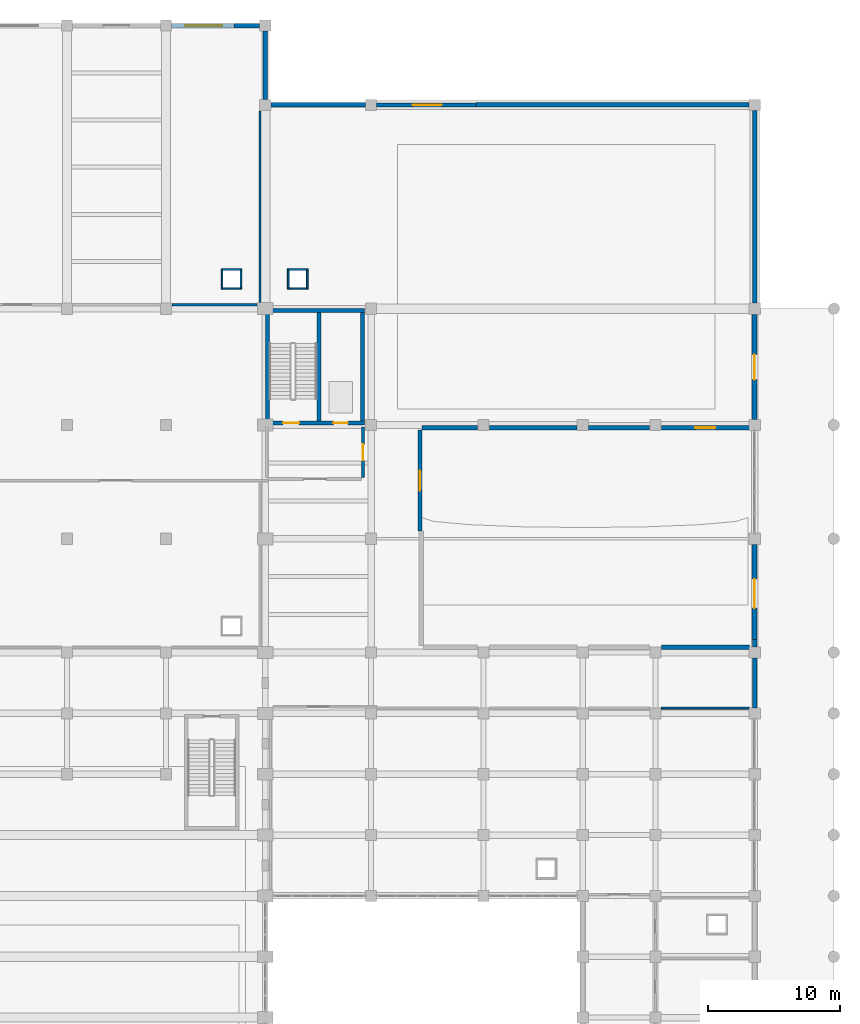
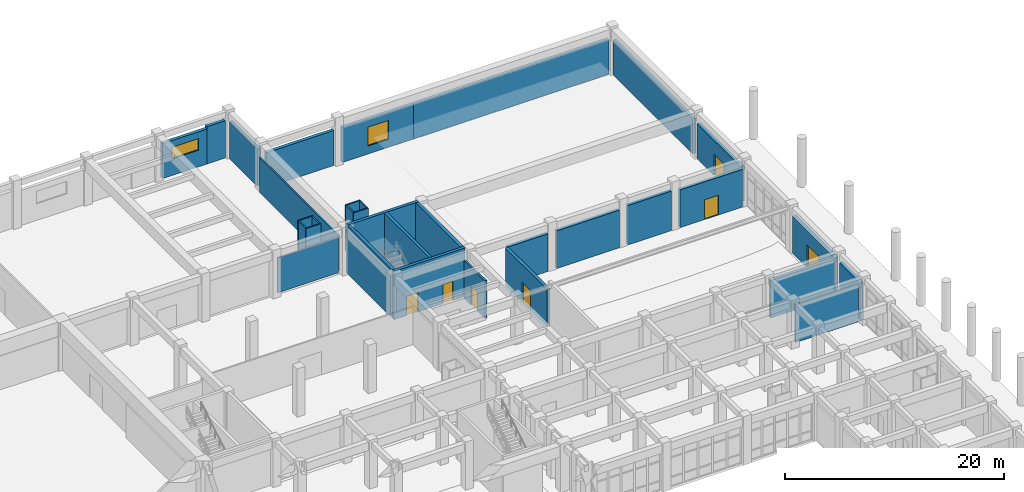
# One storey, part 70 of 84: 34 walls, 7 doors, 2 windows, 9 openings.
"""IFC4 building model written with IfcOpenShell, lengths in metres."""

from ifc_helpers import new_model, si_unit, direction, frame, frame_2d, origin, place, context, subcontext, project, spatial, rectangle, extrude, material, layer, layer_set, type_object, element, fill, save


model = new_model("IFC4")

# Units and contexts
model_context = context("Model", 3, precision=1e-05, world=origin(), true_north=direction((0.0, 1.0)))
body_context = subcontext(model_context, "Body", "Model", "MODEL_VIEW")
ifc_project = project(units=[si_unit("LENGTHUNIT", "METRE"), si_unit("AREAUNIT", "SQUARE_METRE"), si_unit("VOLUMEUNIT", "CUBIC_METRE"), si_unit("PLANEANGLEUNIT", "RADIAN"), si_unit("MASSUNIT", "GRAM", prefix="KILO")], contexts=[model_context])

# Site, building, storey
site_placement = place(None, origin())
site = spatial("IfcSite", under=ifc_project, at=site_placement, CompositionType="ELEMENT")
building_placement = place(site_placement, origin())
building = spatial("IfcBuilding", under=site, at=building_placement, Name="Muzn Square Opera House", CompositionType="ELEMENT")
storey_placement = place(building_placement, origin())
storey = spatial("IfcBuildingStorey", under=building, at=storey_placement, Name="L00", CompositionType="ELEMENT", Elevation=0.0)

# Wall, opening, door
ifc_material_1 = material(Name="Acoustic gypsum stud partition", Category="gypsum")
ifc_layer_1 = layer(ifc_material_1, 0.320068359375, Name="Acoustic gypsum stud partition", Category="gypsum")
ifc_layer_set_1 = layer_set([ifc_layer_1], Name="Acoustic gypsum stud partition")
wall_type_1 = type_object("IfcWallType", Name="Acoustic Studio Double Wall 320mm", PredefinedType="PARTITIONING", material=ifc_layer_set_1)
wall_1_placement = place(storey_placement, frame((162.945068359375, 89.60009765625, 0.0), z_axis=(0.0, 0.0, 1.0), x_axis=(1.0, 0.0, 0.0)))
wall_1 = element("IfcWall", 1, at=wall_1_placement, inside=storey, type_object=wall_type_1, Name="Interior Partition PW-L00-0076", PredefinedType="PARTITIONING", context=body_context, shape_type="SweptSolid", body=[
    extrude(rectangle(XDim=6.655029296875, YDim=0.320068359375, at=frame_2d((3.32763671875, 0.0))), origin(), (0.0, 0.0, 1.0), 4.199951171875),
])
opening_1_placement = place(wall_1_placement, frame((2.577392578125, 0.0, 0.0)))
opening_1 = element("IfcOpeningElement", 2, at=opening_1_placement, cuts=wall_1, Name="Opening DR-SD15", PredefinedType="OPENING", context=body_context, shape_type="SweptSolid", body=[
    extrude(rectangle(XDim=1.5, YDim=2.199951171875, at=frame_2d((0.75, 1.10009765625))), frame((0.0, 0.169921875, 0.0), z_axis=(0.0, -1.0, 0.0), x_axis=(1.0, 0.0, 0.0)), (0.0, 0.0, 1.0), 0.340087890625),
])
ifc_material_2 = material(Name="Acoustic hardwood leaf", Category="wood")
door_type_1 = type_object("IfcDoorType", Name="Studio Theatre Entry Door 1500x2200", OperationType="NOTDEFINED", PredefinedType="DOOR", material=ifc_material_2)
door_1_placement = place(opening_1_placement, origin())
door_1 = element("IfcDoor", 3, at=door_1_placement, inside=storey, type_object=door_type_1, Name="Studio Theatre Stalls Door DR-L00-0032", OperationType="SINGLE_SWING_RIGHT", OverallHeight=2.199951171875, OverallWidth=1.5, PredefinedType="DOOR", context=body_context, shape_type="SweptSolid", body=[
    extrude(rectangle(XDim=1.5, YDim=2.199951171875, at=frame_2d((0.75, 1.10009765625))), frame((0.0, 0.02490234375, 0.0), z_axis=(0.0, -1.0, 0.0), x_axis=(1.0, 0.0, 0.0)), (0.0, 0.0, 1.0), 0.050048828125),
])
fill(opening_1, door_1)

# Walls
wall_2_placement = place(storey_placement, frame((149.945068359375, 89.60009765625, 0.0), z_axis=(0.0, 0.0, 1.0), x_axis=(1.0, 0.0, 0.0)))
element("IfcWall", 4, at=wall_2_placement, inside=storey, type_object=wall_type_1, Name="Interior Partition PW-L00-0077", PredefinedType="PARTITIONING", context=body_context, shape_type="SweptSolid", body=[
    extrude(rectangle(XDim=6.60986328125, YDim=0.320068359375, at=frame_2d((3.304931640625, 0.0))), origin(), (0.0, 0.0, 1.0), 4.199951171875),
])
wall_3_placement = place(storey_placement, frame((157.445068359375, 89.60009765625, 0.0), z_axis=(0.0, 0.0, 1.0), x_axis=(1.0, 0.0, 0.0)))
element("IfcWall", 5, at=wall_3_placement, inside=storey, type_object=wall_type_1, Name="Interior Partition PW-L00-0078", PredefinedType="PARTITIONING", context=body_context, shape_type="SweptSolid", body=[
    extrude(rectangle(XDim=4.60986328125, YDim=0.320068359375, at=frame_2d((2.304931640625, 0.0))), origin(), (0.0, 0.0, 1.0), 4.39990234375),
])
wall_4_placement = place(storey_placement, frame((144.844970703125, 89.60009765625, 0.0), z_axis=(0.0, 0.0, 1.0), x_axis=(1.0, 0.0, 0.0)))
element("IfcWall", 6, at=wall_4_placement, inside=storey, type_object=wall_type_1, Name="Interior Partition PW-L00-0079", PredefinedType="PARTITIONING", context=body_context, shape_type="SweptSolid", body=[
    extrude(rectangle(XDim=4.2099609375, YDim=0.320068359375, at=frame_2d((2.10498046875, 0.0))), origin(), (0.0, 0.0, 1.0), 4.199951171875),
])

# Wall, opening, door
wall_5_placement = place(storey_placement, frame((144.699951171875, 81.800048828125, 0.0), z_axis=(0.0, 0.0, 1.0), x_axis=(0.0, 1.0, 0.0)))
wall_5 = element("IfcWall", 7, at=wall_5_placement, inside=storey, type_object=wall_type_1, Name="Interior Partition PW-L00-0080", PredefinedType="PARTITIONING", context=body_context, shape_type="SweptSolid", body=[
    extrude(rectangle(XDim=7.635009765625, YDim=0.320068359375, at=frame_2d((3.8173828125, 0.0))), origin(), (0.0, 0.0, 1.0), 4.199951171875),
])
opening_2_placement = place(wall_5_placement, frame((3.050048828125, 0.0, 0.0)))
opening_2 = element("IfcOpeningElement", 8, at=opening_2_placement, cuts=wall_5, Name="Opening DR-SD15", PredefinedType="OPENING", context=body_context, shape_type="SweptSolid", body=[
    extrude(rectangle(XDim=1.5, YDim=2.199951171875, at=frame_2d((0.75, 1.10009765625))), frame((0.0, 0.169921875, 0.0), z_axis=(0.0, -1.0, 0.0), x_axis=(1.0, 0.0, 0.0)), (0.0, 0.0, 1.0), 0.340087890625),
])
door_2_placement = place(opening_2_placement, origin())
door_2 = element("IfcDoor", 9, at=door_2_placement, inside=storey, type_object=door_type_1, Name="Studio Theatre Stalls Door DR-L00-0033", OperationType="SINGLE_SWING_LEFT", OverallHeight=2.199951171875, OverallWidth=1.5, PredefinedType="DOOR", context=body_context, shape_type="SweptSolid", body=[
    extrude(rectangle(XDim=1.5, YDim=2.199951171875, at=frame_2d((0.75, 1.10009765625))), frame((0.0, 0.02490234375, 0.0), z_axis=(0.0, -1.0, 0.0), x_axis=(1.0, 0.0, 0.0)), (0.0, 0.0, 1.0), 0.050048828125),
])
fill(opening_2, door_2)

# Walls
wall_6_placement = place(storey_placement, frame((162.945068359375, 73.0, 0.0), z_axis=(0.0, 0.0, 1.0), x_axis=(1.0, 0.0, 0.0)))
element("IfcWall", 10, at=wall_6_placement, inside=storey, type_object=wall_type_1, Name="Room Enclosure Partition PW-L00-0128", PredefinedType="PARTITIONING", context=body_context, shape_type="SweptSolid", body=[
    extrude(rectangle(XDim=6.655029296875, YDim=0.320068359375, at=frame_2d((3.32763671875, 0.0))), origin(), (0.0, 0.0, 1.0), 4.199951171875),
])
ifc_material_3 = material(Name="Concrete C45/55", Category="concrete")
ifc_layer_2 = layer(ifc_material_3, 0.300048828125, Name="Concrete C45/55", Category="concrete")
ifc_layer_set_2 = layer_set([ifc_layer_2], Name="Concrete C45/55")
wall_type_2 = type_object("IfcWallType", Name="Core Shear Wall 300mm", PredefinedType="SHEAR", material=ifc_layer_set_2)
wall_7_placement = place(storey_placement, frame((133.0, 98.449951171875, 0.0), z_axis=(0.0, 0.0, 1.0), x_axis=(1.0, 0.0, 0.0)))
element("IfcWall", 11, at=wall_7_placement, inside=storey, type_object=wall_type_2, Name="Core C5 Shear Wall SW-C5-L00-N", PredefinedType="SHEAR", context=body_context, shape_type="SweptSolid", body=[
    extrude(rectangle(XDim=7.5, YDim=0.300048828125, at=frame_2d((3.75, 0.0))), origin(), (0.0, 0.0, 1.0), 5.39990234375),
])
for number, where, z_axis, x_axis, name in (
    (12, (133.14990234375, 90.10009765625, 0.0), (0.0, 0.0, 1.0), (0.0, 1.0, 0.0), "Core C5 Shear Wall SW-C5-L00-W"),
    (13, (140.35009765625, 90.10009765625, 0.0), (0.0, 0.0, 1.0), (0.0, 1.0, 0.0), "Core C5 Shear Wall SW-C5-L00-E"),
    (14, (137.050048828125, 90.10009765625, 0.0), (0.0, 0.0, 1.0), (0.0, 1.0, 0.0), "Core C5 Shear Wall SW-C5-L00-DIV"),
):
    element("IfcWall", number, at=place(storey_placement, frame(where, z_axis=z_axis, x_axis=x_axis)), inside=storey, type_object=wall_type_2, Name=name, PredefinedType="SHEAR", context=body_context, shape_type="SweptSolid", body=[
        extrude(rectangle(XDim=8.199951171875, YDim=0.300048828125, at=frame_2d((4.10009765625, 0.0))), origin(), (0.0, 0.0, 1.0), 5.39990234375),
    ])

# Wall, openings, doors
wall_8_placement = place(storey_placement, frame((133.0, 89.949951171875, 0.0), z_axis=(0.0, 0.0, 1.0), x_axis=(1.0, 0.0, 0.0)))
wall_8 = element("IfcWall", 15, at=wall_8_placement, inside=storey, type_object=wall_type_2, Name="Core C5 Front Shear Wall L00", PredefinedType="SHEAR", context=body_context, shape_type="SweptSolid", body=[
    extrude(rectangle(XDim=7.5, YDim=0.300048828125, at=frame_2d((3.75, 0.0))), origin(), (0.0, 0.0, 1.0), 5.39990234375),
])
opening_3_placement = place(wall_8_placement, frame((2.550048828125, 0.0, 0.0), z_axis=(0.0, 0.0, 1.0), x_axis=(-1.0, 0.0, 0.0)))
opening_3 = element("IfcOpeningElement", 16, at=opening_3_placement, cuts=wall_8, Name="Opening DR-ST12", PredefinedType="OPENING", context=body_context, shape_type="SweptSolid", body=[
    extrude(rectangle(XDim=1.199951171875, YDim=2.14990234375, at=frame_2d((0.60009765625, 1.074951171875))), frame((0.0, 0.159912109375, 0.0), z_axis=(0.0, -1.0, 0.0), x_axis=(1.0, 0.0, 0.0)), (0.0, 0.0, 1.0), 0.320068359375),
])
opening_4_placement = place(wall_8_placement, frame((5.14990234375, 0.0, 0.0)))
opening_4 = element("IfcOpeningElement", 17, at=opening_4_placement, cuts=wall_8, Name="Opening LD-01", PredefinedType="OPENING", context=body_context, shape_type="SweptSolid", body=[
    extrude(rectangle(XDim=1.10009765625, YDim=2.14990234375, at=frame_2d((0.550048828125, 1.074951171875))), frame((0.0, 0.159912109375, 0.0), z_axis=(0.0, -1.0, 0.0), x_axis=(1.0, 0.0, 0.0)), (0.0, 0.0, 1.0), 0.320068359375),
])
ifc_material_4 = material(Name="Galvanised painted steel leaf", Category="metal")
door_type_2 = type_object("IfcDoorType", Name="Core Stair Fire Door 1200x2150", OperationType="NOTDEFINED", PredefinedType="DOOR", material=ifc_material_4)
door_3_placement = place(opening_3_placement, origin())
door_3 = element("IfcDoor", 18, at=door_3_placement, inside=storey, type_object=door_type_2, Name="Core C5 Stair Door L00", OperationType="SINGLE_SWING_RIGHT", OverallHeight=2.14990234375, OverallWidth=1.199951171875, PredefinedType="DOOR", context=body_context, shape_type="SweptSolid", body=[
    extrude(rectangle(XDim=1.199951171875, YDim=2.14990234375, at=frame_2d((0.60009765625, 1.074951171875))), frame((0.0, 0.02490234375, 0.0), z_axis=(0.0, -1.0, 0.0), x_axis=(1.0, 0.0, 0.0)), (0.0, 0.0, 1.0), 0.050048828125),
])
fill(opening_3, door_3)
ifc_material_5 = material(Name="Brushed stainless steel", Category="metal")
door_type_3 = type_object("IfcDoorType", Name="Lift Landing Sliding Door 1100x2150", OperationType="SLIDING_TO_LEFT", PredefinedType="DOOR", material=ifc_material_5)
door_4_placement = place(opening_4_placement, origin())
door_4 = element("IfcDoor", 19, at=door_4_placement, inside=storey, type_object=door_type_3, Name="Lift PL-5 Sliding Landing Door L00", OperationType="SLIDING_TO_LEFT", OverallHeight=2.14990234375, OverallWidth=1.10009765625, PredefinedType="DOOR", context=body_context, shape_type="SweptSolid", body=[
    extrude(rectangle(XDim=1.10009765625, YDim=2.14990234375, at=frame_2d((0.550048828125, 1.074951171875))), frame((0.0, 0.02490234375, 0.0), z_axis=(0.0, -1.0, 0.0), x_axis=(1.0, 0.0, 0.0)), (0.0, 0.0, 1.0), 0.050048828125),
])
fill(opening_4, door_4)

# Wall, opening, window
ifc_material_6 = material(Name="Concrete C40/50", Category="concrete")
ifc_layer_3 = layer(ifc_material_6, 0.31005859375, Name="Concrete C40/50", Category="concrete")
ifc_layer_set_3 = layer_set([ifc_layer_3], Name="Concrete C40/50")
wall_type_3 = type_object("IfcWallType", Name="Exterior Gallery Facade Wall 310mm", PredefinedType="SOLIDWALL", material=ifc_layer_set_3)
wall_9_placement = place(storey_placement, frame((141.425048828125, 114.0, 0.0), z_axis=(0.0, 0.0, 1.0), x_axis=(1.0, 0.0, 0.0)))
wall_9 = element("IfcWall", 20, at=wall_9_placement, inside=storey, type_object=wall_type_3, Name="Exterior Facade Wall EW-L00-091", PredefinedType="SOLIDWALL", context=body_context, shape_type="SweptSolid", body=[
    extrude(rectangle(XDim=7.494873046875, YDim=0.31005859375, at=frame_2d((3.74755859375, 0.0))), origin(), (0.0, 0.0, 1.0), 3.89990234375),
])
opening_5_placement = place(wall_9_placement, frame((2.705078125, 0.0, 0.89990234375)))
opening_5 = element("IfcOpeningElement", 21, at=opening_5_placement, cuts=wall_9, Name="Opening WN-R2221", PredefinedType="OPENING", context=body_context, shape_type="SweptSolid", body=[
    extrude(rectangle(XDim=2.199951171875, YDim=2.10009765625, at=frame_2d((1.10009765625, 1.050048828125))), frame((0.0, 0.1650390625, 0.0), z_axis=(0.0, -1.0, 0.0), x_axis=(1.0, 0.0, 0.0)), (0.0, 0.0, 1.0), 0.330078125),
])
ifc_material_7 = material(Name="Low-E laminated acoustic double glazing", Category="glass")
window_type_1 = type_object("IfcWindowType", Name="Rehearsal Studio Window 2200x2100", PartitioningType="DOUBLE_PANEL_VERTICAL", PredefinedType="WINDOW", material=ifc_material_7)
window_1_placement = place(opening_5_placement, origin())
window_1 = element("IfcWindow", 22, at=window_1_placement, inside=storey, type_object=window_type_1, Name="Rehearsal Studio Window 2200x2100 EW-L00-091-WN01", OverallHeight=2.10009765625, OverallWidth=2.199951171875, PartitioningType="SINGLE_PANEL", PredefinedType="WINDOW", context=body_context, shape_type="SweptSolid", body=[
    extrude(rectangle(XDim=2.199951171875, YDim=2.10009765625, at=frame_2d((1.10009765625, 1.050048828125))), frame((0.0, 0.030029296875, 0.0), z_axis=(0.0, -1.0, 0.0), x_axis=(1.0, 0.0, 0.0)), (0.0, 0.0, 1.0), 0.06005859375),
])
fill(opening_5, window_1)

ifc_layer_4 = layer(ifc_material_6, 0.340087890625, Name="Concrete C40/50", Category="concrete")
ifc_layer_set_4 = layer_set([ifc_layer_4], Name="Concrete C40/50")
wall_type_4 = type_object("IfcWallType", Name="Exterior Insulated Spandrel Wall 340mm", PredefinedType="SOLIDWALL", material=ifc_layer_set_4)
wall_10_placement = place(storey_placement, frame((125.925048828125, 120.0, 0.0), z_axis=(0.0, 0.0, 1.0), x_axis=(1.0, 0.0, 0.0)))
wall_10 = element("IfcWall", 23, at=wall_10_placement, inside=storey, type_object=wall_type_4, Name="Exterior Facade Wall EW-L00-042", PredefinedType="SOLIDWALL", context=body_context, shape_type="SweptSolid", body=[
    extrude(rectangle(XDim=4.675048828125, YDim=0.340087890625, at=frame_2d((2.33740234375, 0.0))), origin(), (0.0, 0.0, 1.0), 3.89990234375),
])
opening_6_placement = place(wall_10_placement, frame((1.014892578125, 0.0, 1.85009765625)))
opening_6 = element("IfcOpeningElement", 24, at=opening_6_placement, cuts=wall_10, Name="Opening WN-S2813", PredefinedType="OPENING", context=body_context, shape_type="SweptSolid", body=[
    extrude(rectangle(XDim=2.800048828125, YDim=1.300048828125, at=frame_2d((1.39990234375, 0.64990234375))), frame((0.0, 0.179931640625, 0.0), z_axis=(0.0, -1.0, 0.0), x_axis=(1.0, 0.0, 0.0)), (0.0, 0.0, 1.0), 0.360107421875),
])
window_type_2 = type_object("IfcWindowType", Name="Scenery Clerestory Window 2800x1300", PartitioningType="DOUBLE_PANEL_HORIZONTAL", PredefinedType="WINDOW", material=ifc_material_7)
window_2_placement = place(opening_6_placement, origin())
window_2 = element("IfcWindow", 25, at=window_2_placement, inside=storey, type_object=window_type_2, Name="Scenery Clerestory Window 2800x1300 EW-L00-042-WN01", OverallHeight=1.300048828125, OverallWidth=2.800048828125, PartitioningType="SINGLE_PANEL", PredefinedType="WINDOW", context=body_context, shape_type="SweptSolid", body=[
    extrude(rectangle(XDim=2.800048828125, YDim=1.300048828125, at=frame_2d((1.39990234375, 0.64990234375))), frame((0.0, 0.030029296875, 0.0), z_axis=(0.0, -1.0, 0.0), x_axis=(1.0, 0.0, 0.0)), (0.0, 0.0, 1.0), 0.06005859375),
])
fill(opening_6, window_2)

# Walls
wall_11_placement = place(storey_placement, frame((133.0, 114.425048828125, 0.0), z_axis=(0.0, 0.0, 1.0), x_axis=(0.0, 1.0, 0.0)))
element("IfcWall", 26, at=wall_11_placement, inside=storey, type_object=wall_type_4, Name="Exterior Facade Wall EW-L00-118", PredefinedType="SOLIDWALL", context=body_context, shape_type="SweptSolid", body=[
    extrude(rectangle(XDim=5.14990234375, YDim=0.340087890625, at=frame_2d((2.574951171875, 0.0))), origin(), (0.0, 0.0, 1.0), 4.14990234375),
])
wall_12_placement = place(storey_placement, frame((133.425048828125, 114.0, 0.0), z_axis=(0.0, 0.0, 1.0), x_axis=(1.0, 0.0, 0.0)))
element("IfcWall", 27, at=wall_12_placement, inside=storey, type_object=wall_type_4, Name="Exterior Facade Wall EW-L00-119", PredefinedType="SOLIDWALL", context=body_context, shape_type="SweptSolid", body=[
    extrude(rectangle(XDim=7.14990234375, YDim=0.340087890625, at=frame_2d((3.574951171875, 0.0))), origin(), (0.0, 0.0, 1.0), 3.89990234375),
])
wall_13_placement = place(storey_placement, frame((170.0, 99.02490234375, 0.0), z_axis=(0.0, 0.0, 1.0), x_axis=(0.0, 1.0, 0.0)))
element("IfcWall", 28, at=wall_13_placement, inside=storey, type_object=wall_type_4, Name="Exterior Facade Wall EW-L00-122", PredefinedType="SOLIDWALL", context=body_context, shape_type="SweptSolid", body=[
    extrude(rectangle(XDim=14.550048828125, YDim=0.340087890625, at=frame_2d((7.27490234375, 0.0))), origin(), (0.0, 0.0, 1.0), 3.89990234375),
])
wall_14_placement = place(storey_placement, frame((170.0, 68.425048828125, 0.0), z_axis=(0.0, 0.0, 1.0), x_axis=(0.0, 1.0, 0.0)))
element("IfcWall", 29, at=wall_14_placement, inside=storey, type_object=wall_type_4, Name="Exterior Facade Wall EW-L00-128", PredefinedType="SOLIDWALL", context=body_context, shape_type="SweptSolid", body=[
    extrude(rectangle(XDim=3.75, YDim=0.340087890625, at=frame_2d((1.875, 0.0))), origin(), (0.0, 0.0, 1.0), 4.14990234375),
])
wall_15_placement = place(storey_placement, frame((148.93994140625, 114.0, 0.0), z_axis=(0.0, 0.0, 1.0), x_axis=(1.0, 0.0, 0.0)))
element("IfcWall", 30, at=wall_15_placement, inside=storey, type_object=wall_type_4, Name="Exterior Facade Wall EW-L00-120", PredefinedType="SOLIDWALL", context=body_context, shape_type="SweptSolid", body=[
    extrude(rectangle(XDim=20.635009765625, YDim=0.340087890625, at=frame_2d((10.3173828125, 0.0))), origin(), (0.0, 0.0, 1.0), 3.89990234375),
])
wall_16_placement = place(storey_placement, frame((130.6201171875, 120.0, 0.0), z_axis=(0.0, 0.0, 1.0), x_axis=(1.0, 0.0, 0.0)))
element("IfcWall", 31, at=wall_16_placement, inside=storey, type_object=wall_type_4, Name="Exterior Facade Wall EW-L00-117", PredefinedType="SOLIDWALL", context=body_context, shape_type="SweptSolid", body=[
    extrude(rectangle(XDim=1.954833984375, YDim=0.340087890625, at=frame_2d((0.9775390625, 0.0))), origin(), (0.0, 0.0, 1.0), 4.14990234375),
])
wall_17_placement = place(storey_placement, frame((170.0, 73.02490234375, 0.0), z_axis=(0.0, 0.0, 1.0), x_axis=(0.0, 1.0, 0.0)))
element("IfcWall", 32, at=wall_17_placement, inside=storey, type_object=wall_type_4, Name="Exterior Facade Wall EW-L00-121", PredefinedType="SOLIDWALL", context=body_context, shape_type="SweptSolid", body=[
    extrude(rectangle(XDim=0.55517578125, YDim=0.340087890625, at=frame_2d((0.277587890625, 0.0))), origin(), (0.0, 0.0, 1.0), 4.14990234375),
])

# Wall, opening, door
ifc_layer_5 = layer(ifc_material_6, 0.3798828125, Name="Concrete C40/50", Category="concrete")
ifc_layer_set_5 = layer_set([ifc_layer_5], Name="Concrete C40/50")
wall_type_5 = type_object("IfcWallType", Name="Exterior Limestone Wall 380mm", PredefinedType="SOLIDWALL", material=ifc_layer_set_5)
wall_18_placement = place(storey_placement, frame((170.0, 73.60009765625, 0.0), z_axis=(0.0, 0.0, 1.0), x_axis=(0.0, 1.0, 0.0)))
wall_18 = element("IfcWall", 33, at=wall_18_placement, inside=storey, type_object=wall_type_5, Name="Exterior Facade Wall EW-L00-026", PredefinedType="SOLIDWALL", context=body_context, shape_type="SweptSolid", body=[
    extrude(rectangle(XDim=7.1748046875, YDim=0.3798828125, at=frame_2d((3.58740234375, 0.0))), origin(), (0.0, 0.0, 1.0), 4.14990234375),
])
opening_7_placement = place(wall_18_placement, frame((4.550048828125, 0.0, 0.0), z_axis=(0.0, 0.0, 1.0), x_axis=(-1.0, 0.0, 0.0)))
opening_7 = element("IfcOpeningElement", 34, at=opening_7_placement, cuts=wall_18, Name="Opening DR-EX22", PredefinedType="OPENING", context=body_context, shape_type="SweptSolid", body=[
    extrude(rectangle(XDim=2.199951171875, YDim=2.60009765625, at=frame_2d((1.10009765625, 1.300048828125))), frame((0.0, 0.199951171875, 0.0), z_axis=(0.0, -1.0, 0.0), x_axis=(1.0, 0.0, 0.0)), (0.0, 0.0, 1.0), 0.39990234375),
])
ifc_material_8 = material(Name="Anodised bronze aluminium", Category="metal")
door_type_4 = type_object("IfcDoorType", Name="Ceremonial Foyer Exit Door 2200x2600", OperationType="DOUBLE_DOOR_SINGLE_SWING", PredefinedType="DOOR", material=ifc_material_8)
door_5_placement = place(opening_7_placement, origin())
door_5 = element("IfcDoor", 35, at=door_5_placement, inside=storey, type_object=door_type_4, Name="Studio Stalls East Final Exit E-EB03", OperationType="DOUBLE_DOOR_SINGLE_SWING", OverallHeight=2.60009765625, OverallWidth=2.199951171875, PredefinedType="DOOR", context=body_context, shape_type="SweptSolid", body=[
    extrude(rectangle(XDim=2.199951171875, YDim=2.60009765625, at=frame_2d((1.10009765625, 1.300048828125))), frame((0.0, 0.02490234375, 0.0), z_axis=(0.0, -1.0, 0.0), x_axis=(1.0, 0.0, 0.0)), (0.0, 0.0, 1.0), 0.050048828125),
])
fill(opening_7, door_5)

wall_19_placement = place(storey_placement, frame((170.0, 90.22509765625, 0.0), z_axis=(0.0, 0.0, 1.0), x_axis=(0.0, 1.0, 0.0)))
wall_19 = element("IfcWall", 36, at=wall_19_placement, inside=storey, type_object=wall_type_5, Name="Exterior Facade Wall EW-L00-074", PredefinedType="SOLIDWALL", context=body_context, shape_type="SweptSolid", body=[
    extrude(rectangle(XDim=7.949951171875, YDim=0.3798828125, at=frame_2d((3.97509765625, 0.0))), origin(), (0.0, 0.0, 1.0), 3.89990234375),
])
opening_8_placement = place(wall_19_placement, frame((4.90478515625, 0.0, 0.0), z_axis=(0.0, 0.0, 1.0), x_axis=(-1.0, 0.0, 0.0)))
opening_8 = element("IfcOpeningElement", 37, at=opening_8_placement, cuts=wall_19, Name="Opening DR-EX19", PredefinedType="OPENING", context=body_context, shape_type="SweptSolid", body=[
    extrude(rectangle(XDim=1.89990234375, YDim=2.35009765625, at=frame_2d((0.949951171875, 1.175048828125))), frame((0.0, 0.199951171875, 0.0), z_axis=(0.0, -1.0, 0.0), x_axis=(1.0, 0.0, 0.0)), (0.0, 0.0, 1.0), 0.39990234375),
])
door_type_5 = type_object("IfcDoorType", Name="Pedestrian Final Exit Door 1900x2350", OperationType="DOUBLE_DOOR_SINGLE_SWING", PredefinedType="DOOR", material=ifc_material_8)
door_6_placement = place(opening_8_placement, origin())
door_6 = element("IfcDoor", 38, at=door_6_placement, inside=storey, type_object=door_type_5, Name="Studio Pavilion Final Exit Door E-EB02", OperationType="DOUBLE_DOOR_SINGLE_SWING", OverallHeight=2.35009765625, OverallWidth=1.89990234375, PredefinedType="DOOR", context=body_context, shape_type="SweptSolid", body=[
    extrude(rectangle(XDim=1.89990234375, YDim=2.35009765625, at=frame_2d((0.949951171875, 1.175048828125))), frame((0.0, 0.02490234375, 0.0), z_axis=(0.0, -1.0, 0.0), x_axis=(1.0, 0.0, 0.0)), (0.0, 0.0, 1.0), 0.050048828125),
])
fill(opening_8, door_6)

ifc_layer_6 = layer(ifc_material_6, 0.219970703125, Name="Concrete C40/50", Category="concrete")
ifc_layer_set_6 = layer_set([ifc_layer_6], Name="Concrete C40/50")
wall_type_6 = type_object("IfcWallType", Name="Lift Lobby Wall 220mm", PredefinedType="SOLIDWALL", material=ifc_layer_set_6)
wall_20_placement = place(storey_placement, frame((140.389892578125, 85.820068359375, 0.0), z_axis=(0.0, 0.0, 1.0), x_axis=(0.0, 1.0, 0.0)))
wall_20 = element("IfcWall", 39, at=wall_20_placement, inside=storey, type_object=wall_type_6, Name="Lobby C5 Side Wall E L00", PredefinedType="SOLIDWALL", context=body_context, shape_type="SweptSolid", body=[
    extrude(rectangle(XDim=3.829833984375, YDim=0.219970703125, at=frame_2d((1.9150390625, 0.0))), origin(), (0.0, 0.0, 1.0), 4.199951171875),
])
opening_9_placement = place(wall_20_placement, frame((2.514892578125, 0.0, 0.0), z_axis=(0.0, 0.0, 1.0), x_axis=(-1.0, 0.0, 0.0)))
opening_9 = element("IfcOpeningElement", 40, at=opening_9_placement, cuts=wall_20, Name="Opening DR-ST12", PredefinedType="OPENING", context=body_context, shape_type="SweptSolid", body=[
    extrude(rectangle(XDim=1.199951171875, YDim=2.14990234375, at=frame_2d((0.60009765625, 1.074951171875))), frame((0.0, 0.119873046875, 0.0), z_axis=(0.0, -1.0, 0.0), x_axis=(1.0, 0.0, 0.0)), (0.0, 0.0, 1.0), 0.239990234375),
])
door_7_placement = place(opening_9_placement, origin())
door_7 = element("IfcDoor", 41, at=door_7_placement, inside=storey, type_object=door_type_2, Name="Lobby C5 Side Door E L00", OperationType="SINGLE_SWING_LEFT", OverallHeight=2.14990234375, OverallWidth=1.199951171875, PredefinedType="DOOR", context=body_context, shape_type="SweptSolid", body=[
    extrude(rectangle(XDim=1.199951171875, YDim=2.14990234375, at=frame_2d((0.60009765625, 1.074951171875))), frame((0.0, 0.02490234375, 0.0), z_axis=(0.0, -1.0, 0.0), x_axis=(1.0, 0.0, 0.0)), (0.0, 0.0, 1.0), 0.050048828125),
])
fill(opening_9, door_7)

# Walls
ifc_layer_7 = layer(ifc_material_1, 0.14990234375, Name="Acoustic gypsum stud partition", Category="gypsum")
ifc_layer_set_7 = layer_set([ifc_layer_7], Name="Acoustic gypsum stud partition")
wall_type_7 = type_object("IfcWallType", Name="Office Acoustic Partition 150mm", PredefinedType="PARTITIONING", material=ifc_layer_set_7)
wall_21_placement = place(storey_placement, frame((162.945068359375, 68.39990234375, 0.0), z_axis=(0.0, 0.0, 1.0), x_axis=(1.0, 0.0, 0.0)))
element("IfcWall", 42, at=wall_21_placement, inside=storey, type_object=wall_type_7, Name="Room Enclosure Partition PW-L00-0121", PredefinedType="PARTITIONING", context=body_context, shape_type="SweptSolid", body=[
    extrude(rectangle(XDim=6.655029296875, YDim=0.14990234375, at=frame_2d((3.32763671875, 0.0))), origin(), (0.0, 0.0, 1.0), 4.199951171875),
])
ifc_layer_8 = layer(ifc_material_1, 0.1298828125, Name="Acoustic gypsum stud partition", Category="gypsum")
ifc_layer_set_8 = layer_set([ifc_layer_8], Name="Acoustic gypsum stud partition")
wall_type_8 = type_object("IfcWallType", Name="Service Closet Partition 130mm", PredefinedType="PARTITIONING", material=ifc_layer_set_8)
for number, where, z_axis, x_axis, name in (
    (43, (129.669921875, 100.135009765625, 0.0), (0.0, 0.0, 1.0), (1.0, 0.0, 0.0), "MEP Riser Shaft Wall RSR-RR L00-S"),
    (44, (129.669921875, 101.56494140625, 0.0), (0.0, 0.0, 1.0), (1.0, 0.0, 0.0), "MEP Riser Shaft Wall RSR-RR L00-N"),
):
    element("IfcWall", number, at=place(storey_placement, frame(where, z_axis=z_axis, x_axis=x_axis)), inside=storey, type_object=wall_type_8, Name=name, PredefinedType="PARTITIONING", context=body_context, shape_type="SweptSolid", body=[
        extrude(rectangle(XDim=1.56005859375, YDim=0.1298828125, at=frame_2d((0.780029296875, 0.0))), origin(), (0.0, 0.0, 1.0), 5.10009765625),
    ])
for number, where, z_axis, x_axis, name in (
    (45, (129.735107421875, 100.199951171875, 0.0), (0.0, 0.0, 1.0), (0.0, 1.0, 0.0), "MEP Riser Shaft Wall RSR-RR L00-W"),
    (46, (131.1650390625, 100.199951171875, 0.0), (0.0, 0.0, 1.0), (0.0, 1.0, 0.0), "MEP Riser Shaft Wall RSR-RR L00-E"),
):
    element("IfcWall", number, at=place(storey_placement, frame(where, z_axis=z_axis, x_axis=x_axis)), inside=storey, type_object=wall_type_8, Name=name, PredefinedType="PARTITIONING", context=body_context, shape_type="SweptSolid", body=[
        extrude(rectangle(XDim=1.300048828125, YDim=0.1298828125, at=frame_2d((0.64990234375, 0.0))), origin(), (0.0, 0.0, 1.0), 5.10009765625),
    ])
for number, where, z_axis, x_axis, name in (
    (47, (134.669921875, 100.135009765625, 0.0), (0.0, 0.0, 1.0), (1.0, 0.0, 0.0), "MEP Riser Shaft Wall RSR-RP L00-S"),
    (48, (134.669921875, 101.56494140625, 0.0), (0.0, 0.0, 1.0), (1.0, 0.0, 0.0), "MEP Riser Shaft Wall RSR-RP L00-N"),
):
    element("IfcWall", number, at=place(storey_placement, frame(where, z_axis=z_axis, x_axis=x_axis)), inside=storey, type_object=wall_type_8, Name=name, PredefinedType="PARTITIONING", context=body_context, shape_type="SweptSolid", body=[
        extrude(rectangle(XDim=1.56005859375, YDim=0.1298828125, at=frame_2d((0.780029296875, 0.0))), origin(), (0.0, 0.0, 1.0), 5.10009765625),
    ])
for number, where, z_axis, x_axis, name in (
    (49, (134.735107421875, 100.199951171875, 0.0), (0.0, 0.0, 1.0), (0.0, 1.0, 0.0), "MEP Riser Shaft Wall RSR-RP L00-W"),
    (50, (136.1650390625, 100.199951171875, 0.0), (0.0, 0.0, 1.0), (0.0, 1.0, 0.0), "MEP Riser Shaft Wall RSR-RP L00-E"),
):
    element("IfcWall", number, at=place(storey_placement, frame(where, z_axis=z_axis, x_axis=x_axis)), inside=storey, type_object=wall_type_8, Name=name, PredefinedType="PARTITIONING", context=body_context, shape_type="SweptSolid", body=[
        extrude(rectangle(XDim=1.300048828125, YDim=0.1298828125, at=frame_2d((0.64990234375, 0.0))), origin(), (0.0, 0.0, 1.0), 5.10009765625),
    ])
ifc_layer_9 = layer(ifc_material_1, 0.159912109375, Name="Acoustic gypsum stud partition", Category="gypsum")
ifc_layer_set_9 = layer_set([ifc_layer_9], Name="Acoustic gypsum stud partition")
wall_type_9 = type_object("IfcWallType", Name="Workshop Rated Partition 160mm", PredefinedType="PARTITIONING", material=ifc_layer_set_9)
wall_22_placement = place(storey_placement, frame((125.945068359375, 98.89990234375, 0.0), z_axis=(0.0, 0.0, 1.0), x_axis=(1.0, 0.0, 0.0)))
element("IfcWall", 51, at=wall_22_placement, inside=storey, type_object=wall_type_9, Name="Interior Partition PW-L00-0055", PredefinedType="PARTITIONING", context=body_context, shape_type="SweptSolid", body=[
    extrude(rectangle(XDim=6.434814453125, YDim=0.159912109375, at=frame_2d((3.21728515625, 0.0))), origin(), (0.0, 0.0, 1.0), 3.89990234375),
])
wall_23_placement = place(storey_placement, frame((132.60009765625, 99.070068359375, 0.0), z_axis=(0.0, 0.0, 1.0), x_axis=(0.0, 1.0, 0.0)))
element("IfcWall", 52, at=wall_23_placement, inside=storey, type_object=wall_type_9, Name="Room Enclosure Partition PW-L00-0112", PredefinedType="PARTITIONING", context=body_context, shape_type="SweptSolid", body=[
    extrude(rectangle(XDim=14.48486328125, YDim=0.159912109375, at=frame_2d((7.242431640625, 0.0))), origin(), (0.0, 0.0, 1.0), 3.89990234375),
])

save(model, "model.ifc")
